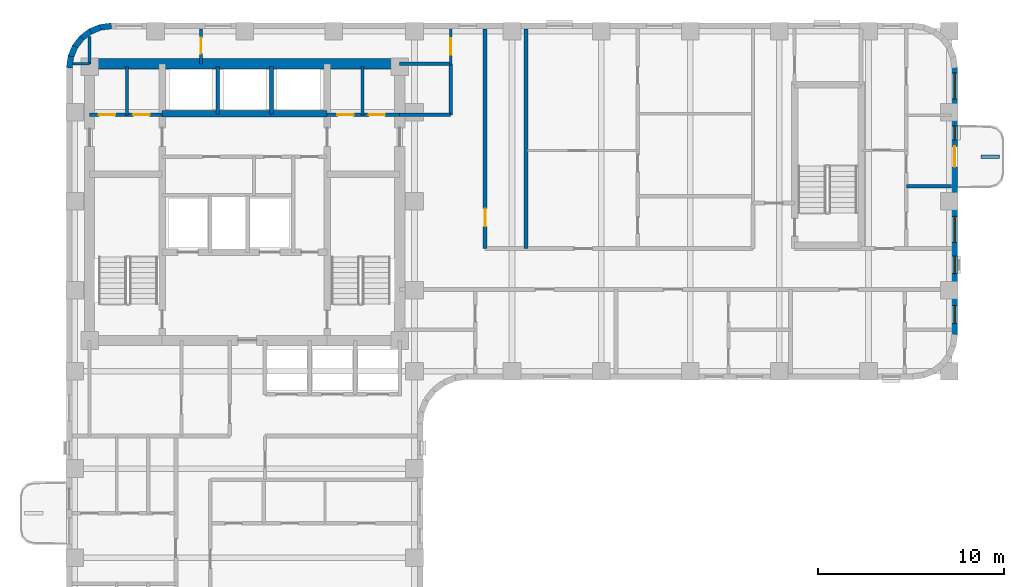
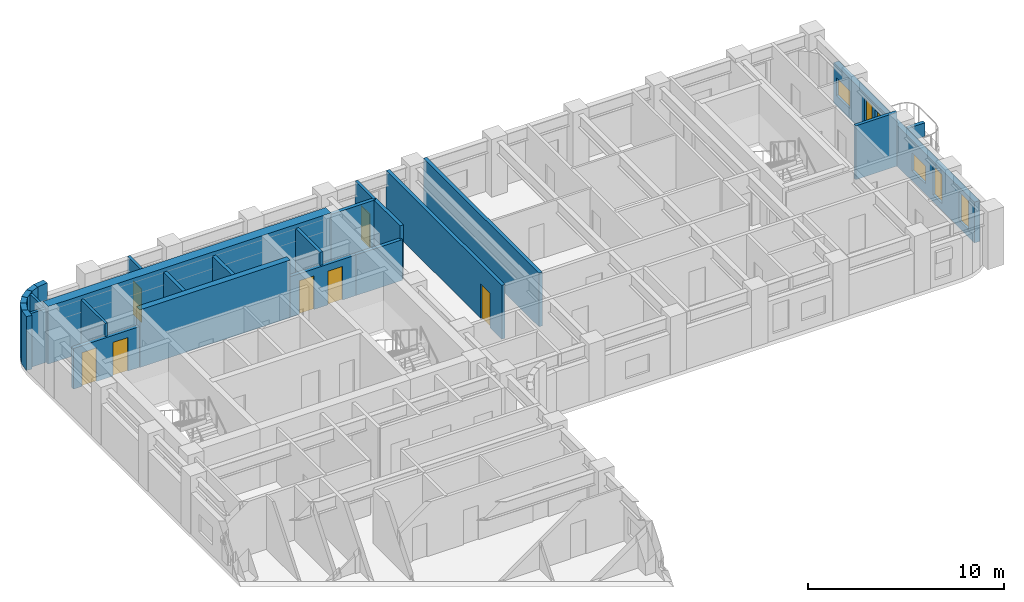
# One storey, part 8 of 11: 26 walls, 8 doors, 5 windows, 13 openings.
"""IFC4 building model written with IfcOpenShell, lengths in metres."""

from ifc_helpers import new_model, si_unit, direction, frame, frame_2d, origin, place, context, subcontext, project, spatial, rectangle, extrude, material, layer, layer_set, type_object, element, fill, save


model = new_model("IFC4")

# Units and contexts
model_context = context("Model", 3, precision=1e-05, world=origin(), true_north=direction((0.0, 1.0)))
body_context = subcontext(model_context, "Body", "Model", "MODEL_VIEW")
ifc_project = project(units=[si_unit("LENGTHUNIT", "METRE"), si_unit("AREAUNIT", "SQUARE_METRE"), si_unit("VOLUMEUNIT", "CUBIC_METRE"), si_unit("PLANEANGLEUNIT", "RADIAN"), si_unit("MASSUNIT", "GRAM", prefix="KILO")], contexts=[model_context])

# Site, building, storey
site_placement = place(None, origin())
site = spatial("IfcSite", under=ifc_project, at=site_placement, CompositionType="ELEMENT")
building_placement = place(site_placement, origin())
building = spatial("IfcBuilding", under=site, at=building_placement, Name="Orvandelia Arch Residences", CompositionType="ELEMENT")
storey_placement = place(building_placement, frame((0.0, 0.0, 125.199951171875)))
storey = spatial("IfcBuildingStorey", under=building, at=storey_placement, Name="L32", CompositionType="ELEMENT", Elevation=125.199951171875)

# Walls
ifc_material_1 = material(Name="Concrete C50/60", Category="concrete")
ifc_layer_1 = layer(ifc_material_1, 0.35009765625, Name="Concrete C50/60", Category="concrete")
ifc_layer_set_1 = layer_set([ifc_layer_1], Name="Concrete C50/60")
wall_type_1 = type_object("IfcWallType", Name="WL-CORE-350", PredefinedType="SHEAR", material=ifc_layer_set_1)
wall_1_placement = place(storey_placement, frame((9.9599609375, 43.10009765625, 0.0), z_axis=(0.0, 0.0, 1.0), x_axis=(1.0, 0.0, 0.0)))
element("IfcWall", 1, at=wall_1_placement, inside=storey, type_object=wall_type_1, Name="Core Shear Wall L32-HZ4", PredefinedType="SHEAR", context=body_context, shape_type="SweptSolid", body=[
    extrude(rectangle(XDim=8.880126953125, YDim=0.35009765625, at=frame_2d((4.43994140625, 0.0))), origin(), (0.0, 0.0, 1.0), 3.60009765625),
])
ifc_material_2 = material(Name="Concrete C60/75", Category="concrete")
ifc_layer_2 = layer(ifc_material_2, 0.550048828125, Name="Concrete C60/75", Category="concrete")
ifc_layer_set_2 = layer_set([ifc_layer_2], Name="Concrete C60/75")
wall_type_2 = type_object("IfcWallType", Name="WL-CORE-550", PredefinedType="SHEAR", material=ifc_layer_set_2)
wall_2_placement = place(storey_placement, frame((6.050048828125, 45.800048828125, 0.0), z_axis=(0.0, 0.0, 1.0), x_axis=(1.0, 0.0, 0.0)))
element("IfcWall", 2, at=wall_2_placement, inside=storey, type_object=wall_type_2, Name="Core Shear Wall L32-N", PredefinedType="SHEAR", context=body_context, shape_type="SweptSolid", body=[
    extrude(rectangle(XDim=16.699951171875, YDim=0.550048828125, at=frame_2d((8.35009765625, 0.0))), origin(), (0.0, 0.0, 1.0), 3.60009765625),
])
ifc_material_3 = material(Name="Fire-Rated Corridor Partition")
ifc_layer_3 = layer(ifc_material_3, 0.199951171875, Name="Fire-Rated Corridor Partition")
ifc_layer_set_3 = layer_set([ifc_layer_3], Name="Fire-Rated Corridor Partition")
wall_type_3 = type_object("IfcWallType", Name="WL-CORR-200", PredefinedType="PARTITIONING", material=ifc_layer_set_3)
wall_3_placement = place(storey_placement, frame((22.75, 45.800048828125, 0.0), z_axis=(0.0, 0.0, 1.0), x_axis=(1.0, 0.0, 0.0)))
element("IfcWall", 3, at=wall_3_placement, inside=storey, type_object=wall_type_3, Name="Interior Partition Wall WL-L32-NCE-S", PredefinedType="PARTITIONING", context=body_context, shape_type="SweptSolid", body=[
    extrude(rectangle(XDim=2.75, YDim=0.199951171875, at=frame_2d((1.375, 0.0))), origin(), (0.0, 0.0, 1.0), 3.360107421875),
])

# Wall, opening, door
wall_4_placement = place(storey_placement, frame((27.35009765625, 35.85009765625, 0.0), z_axis=(0.0, 0.0, 1.0), x_axis=(0.0, 1.0, 0.0)))
wall_4 = element("IfcWall", 4, at=wall_4_placement, inside=storey, type_object=wall_type_3, Name="Interior Partition Wall WL-L32-ES-NCE", PredefinedType="PARTITIONING", context=body_context, shape_type="SweptSolid", body=[
    extrude(rectangle(XDim=11.829833984375, YDim=0.199951171875, at=frame_2d((5.9150390625, 0.0))), origin(), (0.0, 0.0, 1.0), 3.360107421875),
])
opening_1_placement = place(wall_4_placement, frame((1.199951171875, 0.0, 0.0)))
opening_1 = element("IfcOpeningElement", 5, at=opening_1_placement, cuts=wall_4, Name="Opening D2", PredefinedType="OPENING", context=body_context, shape_type="SweptSolid", body=[
    extrude(rectangle(XDim=0.949951171875, YDim=2.14990234375, at=frame_2d((0.47509765625, 1.074951171875))), frame((0.0, 0.10986328125, 0.0), z_axis=(0.0, -1.0, 0.0), x_axis=(1.0, 0.0, 0.0)), (0.0, 0.0, 1.0), 0.219970703125),
])
ifc_material_4 = material(Name="Solid-Core Timber Interior Fire Door", Category="wood")
door_type_1 = type_object("IfcDoorType", Name="DR-APT-950", OperationType="NOTDEFINED", PredefinedType="DOOR", material=ifc_material_4)
door_1_placement = place(opening_1_placement, origin())
door_1 = element("IfcDoor", 6, at=door_1_placement, inside=storey, type_object=door_type_1, Name="DR-L32-ESLDY", OperationType="SINGLE_SWING_RIGHT", OverallHeight=2.14990234375, OverallWidth=0.949951171875, PredefinedType="DOOR", context=body_context, shape_type="SweptSolid", body=[
    extrude(rectangle(XDim=0.949951171875, YDim=2.14990234375, at=frame_2d((0.47509765625, 1.074951171875))), frame((0.0, 0.02490234375, 0.0), z_axis=(0.0, -1.0, 0.0), x_axis=(1.0, 0.0, 0.0)), (0.0, 0.0, 1.0), 0.050048828125),
])
fill(opening_1, door_1)

# Walls
wall_5_placement = place(storey_placement, frame((22.75, 43.050048828125, 0.0), z_axis=(0.0, 0.0, 1.0), x_axis=(1.0, 0.0, 0.0)))
element("IfcWall", 7, at=wall_5_placement, inside=storey, type_object=wall_type_3, Name="Interior Partition Wall WL-L32-ES-LS", PredefinedType="PARTITIONING", context=body_context, shape_type="SweptSolid", body=[
    extrude(rectangle(XDim=2.75, YDim=0.199951171875, at=frame_2d((1.375, 0.0))), origin(), (0.0, 0.0, 1.0), 2.5400390625),
])
wall_6_placement = place(storey_placement, frame((25.5, 43.050048828125, 0.0), z_axis=(0.0, 0.0, 1.0), x_axis=(0.0, 1.0, 0.0)))
element("IfcWall", 8, at=wall_6_placement, inside=storey, type_object=wall_type_3, Name="Interior Partition Wall WL-L32-ES-LW2", PredefinedType="PARTITIONING", context=body_context, shape_type="SweptSolid", body=[
    extrude(rectangle(XDim=2.75, YDim=0.199951171875, at=frame_2d((1.375, 0.0))), origin(), (0.0, 0.0, 1.0), 3.360107421875),
])
ifc_material_5 = material(Name="Concrete C40/50", Category="concrete")
ifc_layer_4 = layer(ifc_material_5, 0.199951171875, Name="Concrete C40/50", Category="concrete")
ifc_layer_set_4 = layer_set([ifc_layer_4], Name="Concrete C40/50")
wall_type_4 = type_object("IfcWallType", Name="WL-DEM-200", PredefinedType="SOLIDWALL", material=ifc_layer_set_4)
wall_7_placement = place(storey_placement, frame((29.550048828125, 35.85009765625, 0.0), z_axis=(0.0, 0.0, 1.0), x_axis=(0.0, 1.0, 0.0)))
element("IfcWall", 9, at=wall_7_placement, inside=storey, type_object=wall_type_4, Name="Interior Partition Wall WL-L32-ES-LDE", PredefinedType="SOLIDWALL", context=body_context, shape_type="SweptSolid", body=[
    extrude(rectangle(XDim=11.829833984375, YDim=0.199951171875, at=frame_2d((5.9150390625, 0.0))), origin(), (0.0, 0.0, 1.0), 3.360107421875),
])
ifc_material_6 = material(Name="Precast concrete C40/50", Category="concrete")
ifc_layer_5 = layer(ifc_material_6, 0.320068359375, Name="Precast concrete C40/50", Category="concrete")
ifc_layer_set_5 = layer_set([ifc_layer_5], Name="Precast concrete C40/50")
wall_type_5 = type_object("IfcWallType", Name="WL-EXT-STONE-320", PredefinedType="STANDARD", material=ifc_layer_set_5)
for number, where, z_axis, x_axis, name in (
    (10, (4.95849609375, 45.5791015625, 0.0), (0.0, 0.0, 1.0), (0.130555323746, 0.9914410257, 0.0), "Coral-Limestone Precast Facade Wall L32-001"),
    (11, (5.029541015625, 46.159912109375, 0.0), (0.0, 0.0, 1.0), (0.382650053678, 0.92389335771, 0.0), "Coral-Limestone Precast Facade Wall L32-002"),
):
    element("IfcWall", number, at=place(storey_placement, frame(where, z_axis=z_axis, x_axis=x_axis)), inside=storey, type_object=wall_type_5, Name=name, PredefinedType="STANDARD", context=body_context, shape_type="SweptSolid", body=[
        extrude(rectangle(XDim=0.62646484375, YDim=0.320068359375, at=frame_2d((0.313232421875, 0.0))), origin(), (0.0, 0.0, 1.0), 3.360107421875),
    ])
wall_8_placement = place(storey_placement, frame((5.248291015625, 46.70263671875, 0.0), z_axis=(0.0, 0.0, 1.0), x_axis=(0.608938521285, 0.7932174212, 0.0)))
element("IfcWall", 12, at=wall_8_placement, inside=storey, type_object=wall_type_5, Name="Coral-Limestone Precast Facade Wall L32-003", PredefinedType="STANDARD", context=body_context, shape_type="SweptSolid", body=[
    extrude(rectangle(XDim=0.626708984375, YDim=0.320068359375, at=frame_2d((0.3134765625, 0.0))), origin(), (0.0, 0.0, 1.0), 3.360107421875),
])
wall_9_placement = place(storey_placement, frame((5.600341796875, 47.170166015625, 0.0), z_axis=(0.0, 0.0, 1.0), x_axis=(0.793405610854, 0.608693302629, 0.0)))
element("IfcWall", 13, at=wall_9_placement, inside=storey, type_object=wall_type_5, Name="Coral-Limestone Precast Facade Wall L32-004", PredefinedType="STANDARD", context=body_context, shape_type="SweptSolid", body=[
    extrude(rectangle(XDim=0.62646484375, YDim=0.320068359375, at=frame_2d((0.313232421875, 0.0))), origin(), (0.0, 0.0, 1.0), 3.360107421875),
])
wall_10_placement = place(storey_placement, frame((6.061279296875, 47.53076171875, 0.0), z_axis=(0.0, 0.0, 1.0), x_axis=(0.923836271867, 0.382787856107, 0.0)))
element("IfcWall", 14, at=wall_10_placement, inside=storey, type_object=wall_type_5, Name="Coral-Limestone Precast Facade Wall L32-005", PredefinedType="STANDARD", context=body_context, shape_type="SweptSolid", body=[
    extrude(rectangle(XDim=0.626220703125, YDim=0.320068359375, at=frame_2d((0.31298828125, 0.0))), origin(), (0.0, 0.0, 1.0), 3.360107421875),
])
wall_11_placement = place(storey_placement, frame((6.599609375, 47.759521484375, 0.0), z_axis=(0.0, 0.0, 1.0), x_axis=(0.991447664465, 0.130504898859, 0.0)))
element("IfcWall", 15, at=wall_11_placement, inside=storey, type_object=wall_type_5, Name="Coral-Limestone Precast Facade Wall L32-006", PredefinedType="STANDARD", context=body_context, shape_type="SweptSolid", body=[
    extrude(rectangle(XDim=0.626708984375, YDim=0.320068359375, at=frame_2d((0.3134765625, 0.0))), origin(), (0.0, 0.0, 1.0), 3.360107421875),
])

# Wall, openings, door, windows
wall_12_placement = place(storey_placement, frame((52.639892578125, 45.60009765625, 0.0), z_axis=(0.0, 0.0, 1.0), x_axis=(0.0, -1.0, 0.0)))
wall_12 = element("IfcWall", 16, at=wall_12_placement, inside=storey, type_object=wall_type_5, Name="Coral-Limestone Precast Facade Wall L32-014", PredefinedType="STANDARD", context=body_context, shape_type="SweptSolid", body=[
    extrude(rectangle(XDim=14.400146484375, YDim=0.320068359375, at=frame_2d((7.2001953125, 0.0))), origin(), (0.0, 0.0, 1.0), 2.5400390625),
])
opening_2_placement = place(wall_12_placement, frame((4.25, 0.0, 0.0)))
opening_2 = element("IfcOpeningElement", 17, at=opening_2_placement, cuts=wall_12, Name="Opening BD1", PredefinedType="OPENING", context=body_context, shape_type="SweptSolid", body=[
    extrude(rectangle(XDim=1.10009765625, YDim=2.14990234375, at=frame_2d((0.550048828125, 1.074951171875))), frame((0.0, 0.169921875, 0.0), z_axis=(0.0, -1.0, 0.0), x_axis=(1.0, 0.0, 0.0)), (0.0, 0.0, 1.0), 0.340087890625),
])
opening_3_placement = place(wall_12_placement, frame((0.282470703125, 0.0, 0.64990234375)))
opening_3 = element("IfcOpeningElement", 18, at=opening_3_placement, cuts=wall_12, Name="Opening W10", PredefinedType="OPENING", context=body_context, shape_type="SweptSolid", body=[
    extrude(rectangle(XDim=1.39990234375, YDim=1.10009765625, at=frame_2d((0.699951171875, 0.550048828125))), frame((0.0, 0.169921875, 0.0), z_axis=(0.0, -1.0, 0.0), x_axis=(1.0, 0.0, 0.0)), (0.0, 0.0, 1.0), 0.340087890625),
])
opening_4_placement = place(wall_12_placement, frame((10.152587890625, 0.0, 0.449951171875)))
opening_4 = element("IfcOpeningElement", 19, at=opening_4_placement, cuts=wall_12, Name="Opening W4", PredefinedType="OPENING", context=body_context, shape_type="SweptSolid", body=[
    extrude(rectangle(XDim=0.949951171875, YDim=1.800048828125, at=frame_2d((0.47509765625, 0.89990234375))), frame((0.0, 0.169921875, 0.0), z_axis=(0.0, -1.0, 0.0), x_axis=(1.0, 0.0, 0.0)), (0.0, 0.0, 1.0), 0.340087890625),
])
opening_5_placement = place(wall_12_placement, frame((12.830078125, 0.0, 0.449951171875)))
opening_5 = element("IfcOpeningElement", 20, at=opening_5_placement, cuts=wall_12, Name="Opening W4", PredefinedType="OPENING", context=body_context, shape_type="SweptSolid", body=[
    extrude(rectangle(XDim=0.949951171875, YDim=1.800048828125, at=frame_2d((0.47509765625, 0.89990234375))), frame((0.0, 0.169921875, 0.0), z_axis=(0.0, -1.0, 0.0), x_axis=(1.0, 0.0, 0.0)), (0.0, 0.0, 1.0), 0.340087890625),
])
opening_6_placement = place(wall_12_placement, frame((8.012451171875, 0.0, 0.64990234375)))
opening_6 = element("IfcOpeningElement", 21, at=opening_6_placement, cuts=wall_12, Name="Opening W10", PredefinedType="OPENING", context=body_context, shape_type="SweptSolid", body=[
    extrude(rectangle(XDim=1.39990234375, YDim=1.10009765625, at=frame_2d((0.699951171875, 0.550048828125))), frame((0.0, 0.169921875, 0.0), z_axis=(0.0, -1.0, 0.0), x_axis=(1.0, 0.0, 0.0)), (0.0, 0.0, 1.0), 0.340087890625),
])
opening_7_placement = place(wall_12_placement, frame((3.1474609375, 0.0, 0.449951171875)))
opening_7 = element("IfcOpeningElement", 22, at=opening_7_placement, cuts=wall_12, Name="Opening W11", PredefinedType="OPENING", context=body_context, shape_type="SweptSolid", body=[
    extrude(rectangle(XDim=0.75, YDim=1.800048828125, at=frame_2d((0.375, 0.89990234375))), frame((0.0, 0.169921875, 0.0), z_axis=(0.0, -1.0, 0.0), x_axis=(1.0, 0.0, 0.0)), (0.0, 0.0, 1.0), 0.340087890625),
])
ifc_material_7 = material(Name="Thermally Broken Aluminium Glazed Door", Category="aluminium")
door_type_2 = type_object("IfcDoorType", Name="DR-BAL-GLAZ-1100", OperationType="NOTDEFINED", PredefinedType="DOOR", material=ifc_material_7)
door_2_placement = place(opening_2_placement, origin())
door_2 = element("IfcDoor", 23, at=door_2_placement, inside=storey, type_object=door_type_2, Name="Tree Balcony Glazed Door BAL-L32-E1", OperationType="SINGLE_SWING_LEFT", OverallHeight=2.14990234375, OverallWidth=1.10009765625, PredefinedType="DOOR", context=body_context, shape_type="SweptSolid", body=[
    extrude(rectangle(XDim=1.10009765625, YDim=2.14990234375, at=frame_2d((0.550048828125, 1.074951171875))), frame((0.0, 0.02490234375, 0.0), z_axis=(0.0, -1.0, 0.0), x_axis=(1.0, 0.0, 0.0)), (0.0, 0.0, 1.0), 0.050048828125),
])
fill(opening_2, door_2)
ifc_material_8 = material(Name="Tempered Low-E Insulated Glazing", Category="glass")
window_type_1 = type_object("IfcWindowType", Name="WIN-BED-0750x1800", PartitioningType="SINGLE_PANEL", PredefinedType="WINDOW", material=ifc_material_8)
window_1_placement = place(opening_7_placement, origin())
window_1 = element("IfcWindow", 24, at=window_1_placement, inside=storey, type_object=window_type_1, Name="Recessed Punched Window L32-012", OverallHeight=1.800048828125, OverallWidth=0.75, PartitioningType="SINGLE_PANEL", PredefinedType="WINDOW", context=body_context, shape_type="SweptSolid", body=[
    extrude(rectangle(XDim=0.75, YDim=1.800048828125, at=frame_2d((0.375, 0.89990234375))), frame((0.0, 0.030029296875, 0.0), z_axis=(0.0, -1.0, 0.0), x_axis=(1.0, 0.0, 0.0)), (0.0, 0.0, 1.0), 0.06005859375),
])
fill(opening_7, window_1)
window_type_2 = type_object("IfcWindowType", Name="WIN-CLR-1400x1100", PartitioningType="SINGLE_PANEL", PredefinedType="WINDOW", material=ifc_material_8)
window_2_placement = place(opening_3_placement, origin())
window_2 = element("IfcWindow", 25, at=window_2_placement, inside=storey, type_object=window_type_2, Name="Recessed Punched Window L32-008", OverallHeight=1.10009765625, OverallWidth=1.39990234375, PartitioningType="SINGLE_PANEL", PredefinedType="WINDOW", context=body_context, shape_type="SweptSolid", body=[
    extrude(rectangle(XDim=1.39990234375, YDim=1.10009765625, at=frame_2d((0.699951171875, 0.550048828125))), frame((0.0, 0.030029296875, 0.0), z_axis=(0.0, -1.0, 0.0), x_axis=(1.0, 0.0, 0.0)), (0.0, 0.0, 1.0), 0.06005859375),
])
fill(opening_3, window_2)
window_3_placement = place(opening_6_placement, origin())
window_3 = element("IfcWindow", 26, at=window_3_placement, inside=storey, type_object=window_type_2, Name="Recessed Punched Window L32-011", OverallHeight=1.10009765625, OverallWidth=1.39990234375, PartitioningType="SINGLE_PANEL", PredefinedType="WINDOW", context=body_context, shape_type="SweptSolid", body=[
    extrude(rectangle(XDim=1.39990234375, YDim=1.10009765625, at=frame_2d((0.699951171875, 0.550048828125))), frame((0.0, 0.030029296875, 0.0), z_axis=(0.0, -1.0, 0.0), x_axis=(1.0, 0.0, 0.0)), (0.0, 0.0, 1.0), 0.06005859375),
])
fill(opening_6, window_3)
window_type_3 = type_object("IfcWindowType", Name="WIN-RES-0950x1800", PartitioningType="SINGLE_PANEL", PredefinedType="WINDOW", material=ifc_material_8)
window_4_placement = place(opening_4_placement, origin())
window_4 = element("IfcWindow", 27, at=window_4_placement, inside=storey, type_object=window_type_3, Name="Recessed Punched Window L32-009", OverallHeight=1.800048828125, OverallWidth=0.949951171875, PartitioningType="SINGLE_PANEL", PredefinedType="WINDOW", context=body_context, shape_type="SweptSolid", body=[
    extrude(rectangle(XDim=0.949951171875, YDim=1.800048828125, at=frame_2d((0.47509765625, 0.89990234375))), frame((0.0, 0.030029296875, 0.0), z_axis=(0.0, -1.0, 0.0), x_axis=(1.0, 0.0, 0.0)), (0.0, 0.0, 1.0), 0.06005859375),
])
fill(opening_4, window_4)
window_5_placement = place(opening_5_placement, origin())
window_5 = element("IfcWindow", 28, at=window_5_placement, inside=storey, type_object=window_type_3, Name="Recessed Punched Window L32-010", OverallHeight=1.800048828125, OverallWidth=0.949951171875, PartitioningType="SINGLE_PANEL", PredefinedType="WINDOW", context=body_context, shape_type="SweptSolid", body=[
    extrude(rectangle(XDim=0.949951171875, YDim=1.800048828125, at=frame_2d((0.47509765625, 0.89990234375))), frame((0.0, 0.030029296875, 0.0), z_axis=(0.0, -1.0, 0.0), x_axis=(1.0, 0.0, 0.0)), (0.0, 0.0, 1.0), 0.06005859375),
])
fill(opening_5, window_5)

# Walls
ifc_material_9 = material(Name="Acoustic Gypsum Stud Partition")
ifc_layer_6 = layer(ifc_material_9, 0.14990234375, Name="Acoustic Gypsum Stud Partition")
ifc_layer_set_6 = layer_set([ifc_layer_6], Name="Acoustic Gypsum Stud Partition")
wall_type_6 = type_object("IfcWallType", Name="WL-PART-150", PredefinedType="PARTITIONING", material=ifc_layer_set_6)
wall_13_placement = place(storey_placement, frame((8.06005859375, 43.050048828125, 0.0), z_axis=(0.0, 0.0, 1.0), x_axis=(0.0, 1.0, 0.0)))
element("IfcWall", 29, at=wall_13_placement, inside=storey, type_object=wall_type_6, Name="Interior Partition Wall WL-L32-CRELC-M", PredefinedType="PARTITIONING", context=body_context, shape_type="SweptSolid", body=[
    extrude(rectangle(XDim=2.599853515625, YDim=0.14990234375, at=frame_2d((1.2998046875, 0.0))), origin(), (0.0, 0.0, 1.0), 3.360107421875),
])
wall_14_placement = place(storey_placement, frame((5.159912109375, 45.800048828125, 0.0), z_axis=(0.0, 0.0, 1.0), x_axis=(1.0, 0.0, 0.0)))
element("IfcWall", 30, at=wall_14_placement, inside=storey, type_object=wall_type_6, Name="Interior Partition Wall WL-L32-WF-N", PredefinedType="PARTITIONING", context=body_context, shape_type="SweptSolid", body=[
    extrude(rectangle(XDim=0.89013671875, YDim=0.14990234375, at=frame_2d((0.445068359375, 0.0))), origin(), (0.0, 0.0, 1.0), 3.360107421875),
])

# Wall, opening, door
wall_15_placement = place(storey_placement, frame((25.5, 45.800048828125, 0.0), z_axis=(0.0, 0.0, 1.0), x_axis=(0.0, 1.0, 0.0)))
wall_15 = element("IfcWall", 31, at=wall_15_placement, inside=storey, type_object=wall_type_6, Name="Interior Partition Wall WL-L32-NCE-W", PredefinedType="PARTITIONING", context=body_context, shape_type="SweptSolid", body=[
    extrude(rectangle(XDim=1.8798828125, YDim=0.14990234375, at=frame_2d((0.93994140625, 0.0))), origin(), (0.0, 0.0, 1.0), 3.360107421875),
])
opening_8_placement = place(wall_15_placement, frame((0.5, 0.0, 0.0)))
opening_8 = element("IfcOpeningElement", 32, at=opening_8_placement, cuts=wall_15, Name="Opening D5", PredefinedType="OPENING", context=body_context, shape_type="SweptSolid", body=[
    extrude(rectangle(XDim=0.8798828125, YDim=2.10009765625, at=frame_2d((0.43994140625, 1.050048828125))), frame((0.0, 0.0849609375, 0.0), z_axis=(0.0, -1.0, 0.0), x_axis=(1.0, 0.0, 0.0)), (0.0, 0.0, 1.0), 0.169921875),
])
ifc_material_10 = material(Name="Painted Galvanised Steel Service Door", Category="steel")
door_type_3 = type_object("IfcDoorType", Name="DR-SRV-880", OperationType="NOTDEFINED", PredefinedType="DOOR", material=ifc_material_10)
door_3_placement = place(opening_8_placement, origin())
door_3 = element("IfcDoor", 33, at=door_3_placement, inside=storey, type_object=door_type_3, Name="DR-L32-NCS2", OperationType="SINGLE_SWING_LEFT", OverallHeight=2.10009765625, OverallWidth=0.8798828125, PredefinedType="DOOR", context=body_context, shape_type="SweptSolid", body=[
    extrude(rectangle(XDim=0.8798828125, YDim=2.10009765625, at=frame_2d((0.43994140625, 1.050048828125))), frame((0.0, 0.02490234375, 0.0), z_axis=(0.0, -1.0, 0.0), x_axis=(1.0, 0.0, 0.0)), (0.0, 0.0, 1.0), 0.050048828125),
])
fill(opening_8, door_3)

# Wall
wall_16_placement = place(storey_placement, frame((6.050048828125, 45.800048828125, 0.0), z_axis=(0.0, 0.0, 1.0), x_axis=(0.0, 1.0, 0.0)))
element("IfcWall", 34, at=wall_16_placement, inside=storey, type_object=wall_type_6, Name="Interior Partition Wall WL-L32-NC-W6", PredefinedType="PARTITIONING", context=body_context, shape_type="SweptSolid", body=[
    extrude(rectangle(XDim=1.4599609375, YDim=0.14990234375, at=frame_2d((0.72998046875, 0.0))), origin(), (0.0, 0.0, 1.0), 3.360107421875),
])

# Wall, opening, door
wall_17_placement = place(storey_placement, frame((12.050048828125, 45.800048828125, 0.0), z_axis=(0.0, 0.0, 1.0), x_axis=(0.0, 1.0, 0.0)))
wall_17 = element("IfcWall", 35, at=wall_17_placement, inside=storey, type_object=wall_type_6, Name="Interior Partition Wall WL-L32-NC-M", PredefinedType="PARTITIONING", context=body_context, shape_type="SweptSolid", body=[
    extrude(rectangle(XDim=1.8798828125, YDim=0.14990234375, at=frame_2d((0.93994140625, 0.0))), origin(), (0.0, 0.0, 1.0), 3.360107421875),
])
opening_9_placement = place(wall_17_placement, frame((0.550048828125, 0.0, 0.0)))
opening_9 = element("IfcOpeningElement", 36, at=opening_9_placement, cuts=wall_17, Name="Opening D4", PredefinedType="OPENING", context=body_context, shape_type="SweptSolid", body=[
    extrude(rectangle(XDim=0.860107421875, YDim=2.10009765625, at=frame_2d((0.43017578125, 1.050048828125))), frame((0.0, 0.0849609375, 0.0), z_axis=(0.0, -1.0, 0.0), x_axis=(1.0, 0.0, 0.0)), (0.0, 0.0, 1.0), 0.169921875),
])
ifc_material_11 = material(Name="Moisture-Sealed Timber Bathroom Door", Category="wood")
door_type_4 = type_object("IfcDoorType", Name="DR-WET-900", OperationType="NOTDEFINED", PredefinedType="DOOR", material=ifc_material_11)
door_4_placement = place(opening_9_placement, origin())
door_4 = element("IfcDoor", 37, at=door_4_placement, inside=storey, type_object=door_type_4, Name="DR-L32-NCS1", OperationType="SINGLE_SWING_LEFT", OverallHeight=2.10009765625, OverallWidth=0.860107421875, PredefinedType="DOOR", context=body_context, shape_type="SweptSolid", body=[
    extrude(rectangle(XDim=0.860107421875, YDim=2.10009765625, at=frame_2d((0.43017578125, 1.050048828125))), frame((0.0, 0.02490234375, 0.0), z_axis=(0.0, -1.0, 0.0), x_axis=(1.0, 0.0, 0.0)), (0.0, 0.0, 1.0), 0.050048828125),
])
fill(opening_9, door_4)

# Wall
ifc_layer_7 = layer(ifc_material_6, 0.199951171875, Name="Precast concrete C40/50", Category="concrete")
ifc_layer_set_7 = layer_set([ifc_layer_7], Name="Precast concrete C40/50")
wall_type_7 = type_object("IfcWallType", Name="WL-PLANTER-200", PredefinedType="MOVABLE", material=ifc_layer_set_7)
wall_18_placement = place(storey_placement, frame((54.050048828125, 40.800048828125, 0.0), z_axis=(0.0, 0.0, 1.0), x_axis=(1.0, 0.0, 0.0)))
element("IfcWall", 38, at=wall_18_placement, inside=storey, type_object=wall_type_7, Name="Balcony Precast Tree Planter BAL-L32-E1", PredefinedType="MOVABLE", context=body_context, shape_type="SweptSolid", body=[
    extrude(rectangle(XDim=1.0, YDim=0.199951171875, at=frame_2d((0.5, 0.0))), origin(), (0.0, 0.0, 1.0), 0.85009765625),
])

# Wall, openings, doors
ifc_material_12 = material(Name="Fire-Rated Shaft Enclosure Wall")
ifc_layer_8 = layer(ifc_material_12, 0.199951171875, Name="Fire-Rated Shaft Enclosure Wall")
ifc_layer_set_8 = layer_set([ifc_layer_8], Name="Fire-Rated Shaft Enclosure Wall")
wall_type_8 = type_object("IfcWallType", Name="WL-SHAFT-200", PredefinedType="POLYGONAL", material=ifc_layer_set_8)
wall_19_placement = place(storey_placement, frame((18.840087890625, 43.050048828125, 0.0), z_axis=(0.0, 0.0, 1.0), x_axis=(1.0, 0.0, 0.0)))
wall_19 = element("IfcWall", 39, at=wall_19_placement, inside=storey, type_object=wall_type_8, Name="Interior Partition Wall WL-L32-HLE-N", PredefinedType="POLYGONAL", context=body_context, shape_type="SweptSolid", body=[
    extrude(rectangle(XDim=3.909912109375, YDim=0.199951171875, at=frame_2d((1.955078125, 0.0))), origin(), (0.0, 0.0, 1.0), 2.5400390625),
])
opening_10_placement = place(wall_19_placement, frame((0.550048828125, 0.0, 0.0)))
opening_10 = element("IfcOpeningElement", 40, at=opening_10_placement, cuts=wall_19, Name="Opening D5", PredefinedType="OPENING", context=body_context, shape_type="SweptSolid", body=[
    extrude(rectangle(XDim=0.8798828125, YDim=2.10009765625, at=frame_2d((0.43994140625, 1.050048828125))), frame((0.0, 0.10986328125, 0.0), z_axis=(0.0, -1.0, 0.0), x_axis=(1.0, 0.0, 0.0)), (0.0, 0.0, 1.0), 0.219970703125),
])
opening_11_placement = place(wall_19_placement, frame((2.25, 0.0, 0.0)))
opening_11 = element("IfcOpeningElement", 41, at=opening_11_placement, cuts=wall_19, Name="Opening D4", PredefinedType="OPENING", context=body_context, shape_type="SweptSolid", body=[
    extrude(rectangle(XDim=0.860107421875, YDim=2.10009765625, at=frame_2d((0.43017578125, 1.050048828125))), frame((0.0, 0.10986328125, 0.0), z_axis=(0.0, -1.0, 0.0), x_axis=(1.0, 0.0, 0.0)), (0.0, 0.0, 1.0), 0.219970703125),
])
door_5_placement = place(opening_10_placement, origin())
door_5 = element("IfcDoor", 42, at=door_5_placement, inside=storey, type_object=door_type_3, Name="DR-L32-CSB1", OperationType="SINGLE_SWING_LEFT", OverallHeight=2.10009765625, OverallWidth=0.8798828125, PredefinedType="DOOR", context=body_context, shape_type="SweptSolid", body=[
    extrude(rectangle(XDim=0.8798828125, YDim=2.10009765625, at=frame_2d((0.43994140625, 1.050048828125))), frame((0.0, 0.02490234375, 0.0), z_axis=(0.0, -1.0, 0.0), x_axis=(1.0, 0.0, 0.0)), (0.0, 0.0, 1.0), 0.050048828125),
])
fill(opening_10, door_5)
door_6_placement = place(opening_11_placement, origin())
door_6 = element("IfcDoor", 43, at=door_6_placement, inside=storey, type_object=door_type_4, Name="DR-L32-CSB2", OperationType="SINGLE_SWING_LEFT", OverallHeight=2.10009765625, OverallWidth=0.860107421875, PredefinedType="DOOR", context=body_context, shape_type="SweptSolid", body=[
    extrude(rectangle(XDim=0.860107421875, YDim=2.10009765625, at=frame_2d((0.43017578125, 1.050048828125))), frame((0.0, 0.02490234375, 0.0), z_axis=(0.0, -1.0, 0.0), x_axis=(1.0, 0.0, 0.0)), (0.0, 0.0, 1.0), 0.050048828125),
])
fill(opening_11, door_6)

wall_20_placement = place(storey_placement, frame((6.050048828125, 43.050048828125, 0.0), z_axis=(0.0, 0.0, 1.0), x_axis=(1.0, 0.0, 0.0)))
wall_20 = element("IfcWall", 44, at=wall_20_placement, inside=storey, type_object=wall_type_8, Name="Interior Partition Wall WL-L32-HLW-N", PredefinedType="POLYGONAL", context=body_context, shape_type="SweptSolid", body=[
    extrude(rectangle(XDim=3.909912109375, YDim=0.199951171875, at=frame_2d((1.955078125, 0.0))), origin(), (0.0, 0.0, 1.0), 2.5400390625),
])
opening_12_placement = place(wall_20_placement, frame((0.5, 0.0, 0.0)))
opening_12 = element("IfcOpeningElement", 45, at=opening_12_placement, cuts=wall_20, Name="Opening D5", PredefinedType="OPENING", context=body_context, shape_type="SweptSolid", body=[
    extrude(rectangle(XDim=0.8798828125, YDim=2.10009765625, at=frame_2d((0.43994140625, 1.050048828125))), frame((0.0, 0.10986328125, 0.0), z_axis=(0.0, -1.0, 0.0), x_axis=(1.0, 0.0, 0.0)), (0.0, 0.0, 1.0), 0.219970703125),
])
opening_13_placement = place(wall_20_placement, frame((2.35009765625, 0.0, 0.0)))
opening_13 = element("IfcOpeningElement", 46, at=opening_13_placement, cuts=wall_20, Name="Opening D5", PredefinedType="OPENING", context=body_context, shape_type="SweptSolid", body=[
    extrude(rectangle(XDim=0.8798828125, YDim=2.10009765625, at=frame_2d((0.43994140625, 1.050048828125))), frame((0.0, 0.10986328125, 0.0), z_axis=(0.0, -1.0, 0.0), x_axis=(1.0, 0.0, 0.0)), (0.0, 0.0, 1.0), 0.219970703125),
])
door_7_placement = place(opening_12_placement, origin())
door_7 = element("IfcDoor", 47, at=door_7_placement, inside=storey, type_object=door_type_3, Name="DR-L32-CRELC1", OperationType="SINGLE_SWING_LEFT", OverallHeight=2.10009765625, OverallWidth=0.8798828125, PredefinedType="DOOR", context=body_context, shape_type="SweptSolid", body=[
    extrude(rectangle(XDim=0.8798828125, YDim=2.10009765625, at=frame_2d((0.43994140625, 1.050048828125))), frame((0.0, 0.02490234375, 0.0), z_axis=(0.0, -1.0, 0.0), x_axis=(1.0, 0.0, 0.0)), (0.0, 0.0, 1.0), 0.050048828125),
])
fill(opening_12, door_7)
door_8_placement = place(opening_13_placement, origin())
door_8 = element("IfcDoor", 48, at=door_8_placement, inside=storey, type_object=door_type_3, Name="DR-L32-CRELC2", OperationType="SINGLE_SWING_RIGHT", OverallHeight=2.10009765625, OverallWidth=0.8798828125, PredefinedType="DOOR", context=body_context, shape_type="SweptSolid", body=[
    extrude(rectangle(XDim=0.8798828125, YDim=2.10009765625, at=frame_2d((0.43994140625, 1.050048828125))), frame((0.0, 0.02490234375, 0.0), z_axis=(0.0, -1.0, 0.0), x_axis=(1.0, 0.0, 0.0)), (0.0, 0.0, 1.0), 0.050048828125),
])
fill(opening_13, door_8)

# Walls
for number, where, z_axis, x_axis, name in (
    (49, (12.949951171875, 43.10009765625, 0.0), (0.0, 0.0, 1.0), (0.0, 1.0, 0.0), "Interior Partition Wall WL-L32-PHD1"),
    (50, (15.85009765625, 43.10009765625, 0.0), (0.0, 0.0, 1.0), (0.0, 1.0, 0.0), "Interior Partition Wall WL-L32-PHD2"),
):
    element("IfcWall", number, at=place(storey_placement, frame(where, z_axis=z_axis, x_axis=x_axis)), inside=storey, type_object=wall_type_8, Name=name, PredefinedType="POLYGONAL", context=body_context, shape_type="SweptSolid", body=[
        extrude(rectangle(XDim=2.5498046875, YDim=0.199951171875, at=frame_2d((1.27490234375, 0.0))), origin(), (0.0, 0.0, 1.0), 3.360107421875),
    ])
ifc_material_13 = material(Name="Moisture-Resistant Plumbing Wall")
ifc_layer_9 = layer(ifc_material_13, 0.179931640625, Name="Moisture-Resistant Plumbing Wall")
ifc_layer_set_9 = layer_set([ifc_layer_9], Name="Moisture-Resistant Plumbing Wall")
wall_type_9 = type_object("IfcWallType", Name="WL-WET-180", PredefinedType="PLUMBINGWALL", material=ifc_layer_set_9)
wall_21_placement = place(storey_placement, frame((20.75, 43.050048828125, 0.0), z_axis=(0.0, 0.0, 1.0), x_axis=(0.0, 1.0, 0.0)))
element("IfcWall", 51, at=wall_21_placement, inside=storey, type_object=wall_type_9, Name="Interior Partition Wall WL-L32-CSB-1", PredefinedType="PLUMBINGWALL", context=body_context, shape_type="SweptSolid", body=[
    extrude(rectangle(XDim=2.599853515625, YDim=0.179931640625, at=frame_2d((1.2998046875, 0.0))), origin(), (0.0, 0.0, 1.0), 3.360107421875),
])
wall_22_placement = place(storey_placement, frame((50.04296875, 39.2041015625, 0.0), z_axis=(0.0, 0.0, 1.0), x_axis=(1.0, 0.0, 0.0)))
element("IfcWall", 52, at=wall_22_placement, inside=storey, type_object=wall_type_9, Name="Interior Partition Wall WL-L32-U09-H1", PredefinedType="PLUMBINGWALL", context=body_context, shape_type="SweptSolid", body=[
    extrude(rectangle(XDim=2.43701171875, YDim=0.179931640625, at=frame_2d((1.218505859375, 0.0))), origin(), (0.0, 0.0, 1.0), 3.360107421875),
])

save(model, "model.ifc")
